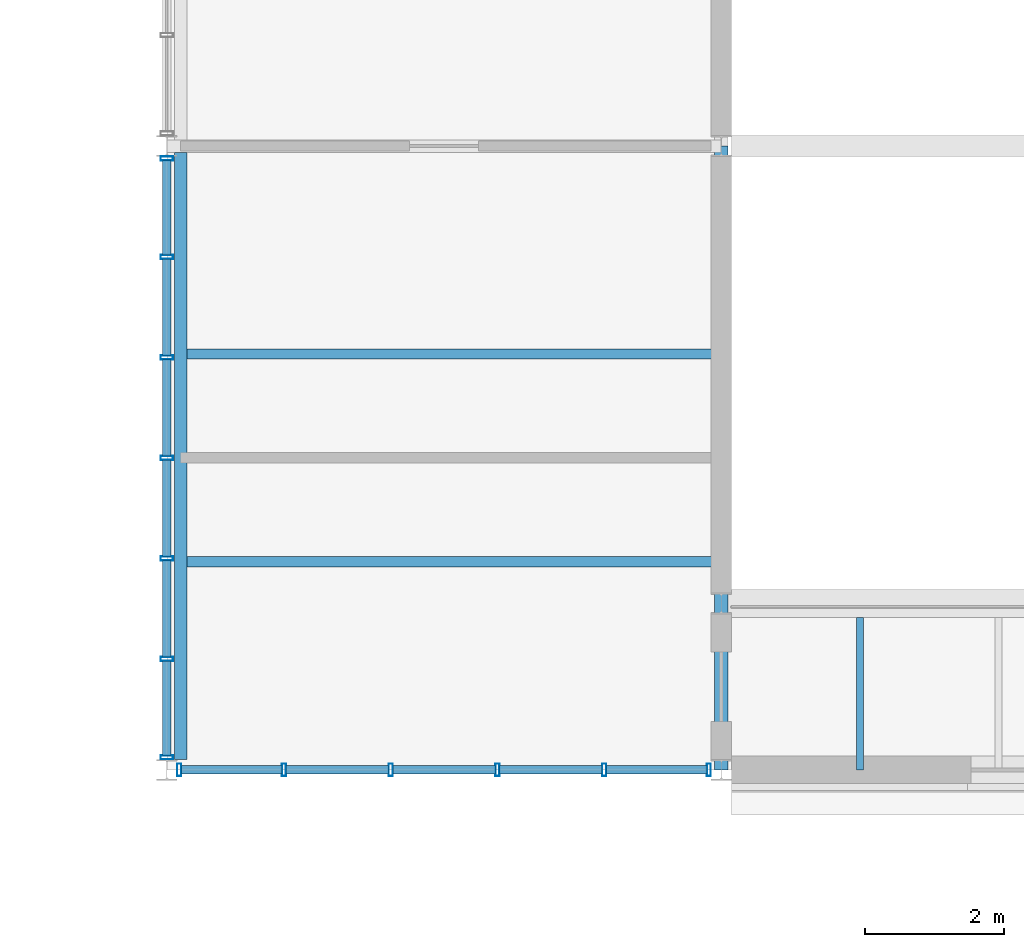
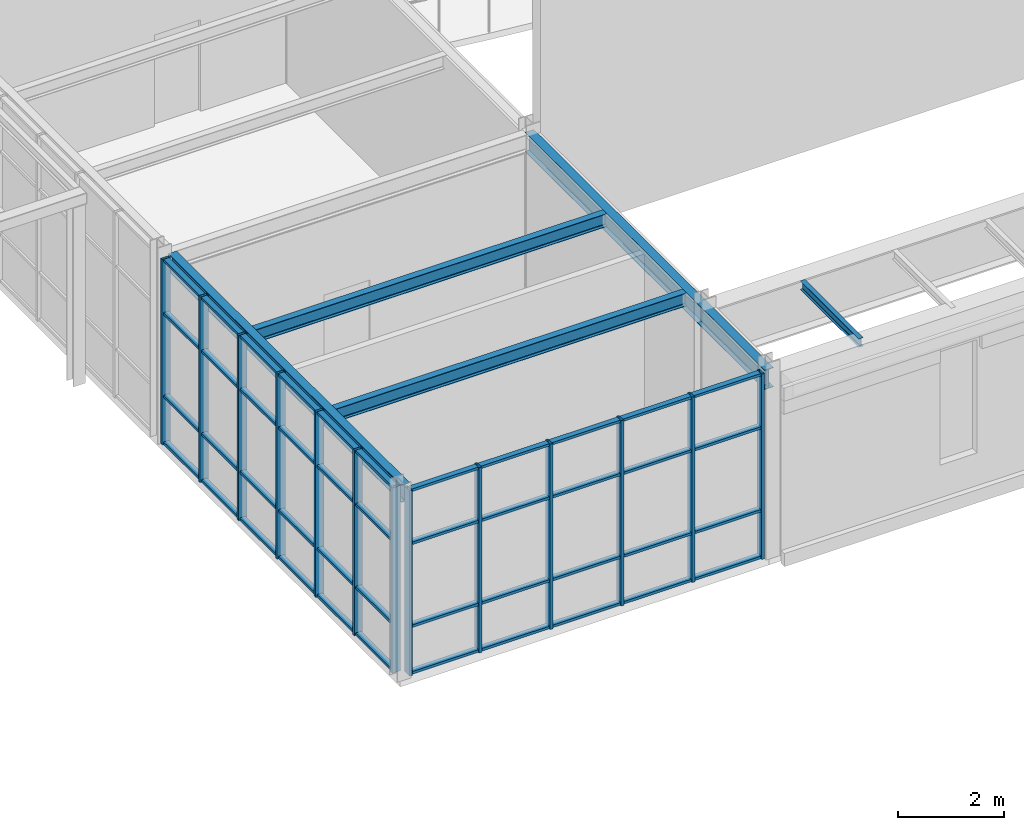
# One storey, part 70 of 153: 57 members, 5 beams, 2 elements without a shape of their own.
"""IFC4 building model written with IfcOpenShell, lengths in metres."""

from ifc_helpers import new_model, si_unit, direction, frame, origin, origin_2d, place, context, subcontext, project, spatial, hollow_rectangle, i_section, extrude, material, material_profile, profile_set, type_object, element, aggregate, save


model = new_model("IFC4")

# Units and contexts
model_context = context("Model", 3, precision=1e-05, world=origin(), true_north=direction((0.0, 1.0)))
body_context = subcontext(model_context, "Body", "Model", "MODEL_VIEW")
ifc_project = project(units=[si_unit("LENGTHUNIT", "METRE"), si_unit("AREAUNIT", "SQUARE_METRE"), si_unit("VOLUMEUNIT", "CUBIC_METRE"), si_unit("PLANEANGLEUNIT", "RADIAN"), si_unit("MASSUNIT", "GRAM", prefix="KILO")], contexts=[model_context])

# Site, building, storey
site_placement = place(None, origin())
site = spatial("IfcSite", under=ifc_project, at=site_placement, CompositionType="ELEMENT")
building_placement = place(site_placement, origin())
building = spatial("IfcBuilding", under=site, at=building_placement, Name="Kallimachos Central Library", CompositionType="ELEMENT")
storey_placement = place(building_placement, frame((0.0, 0.0, 5.39990234375)))
storey = spatial("IfcBuildingStorey", under=building, at=storey_placement, Name="L01", CompositionType="ELEMENT", Elevation=5.39990234375)

# Curtain wall, members
ifc_material_1 = material(Name="Laminated glass in anodised aluminium", Category="aluminium")
curtain_wall_type = type_object("IfcCurtainWallType", Name="Foyer curtain wall", PredefinedType="NOTDEFINED", material=ifc_material_1)
curtain_wall_1_placement = place(storey_placement, origin())
curtain_wall_1 = element("IfcCurtainWall", 1, at=curtain_wall_1_placement, inside=storey, type_object=curtain_wall_type, Name="V3-CWL-L01-001", PredefinedType="NOTDEFINED")
ifc_material_2 = material(Name="Anodised aluminium", Category="aluminium")
ifc_material_profile_1 = material_profile(ifc_material_2, hollow_rectangle(XDim=0.06005859375, YDim=0.179931640625, WallThickness=0.00390625, at=origin_2d()), Name="ALU MULLION 60x180")
ifc_profile_set_1 = profile_set([ifc_material_profile_1], Name="Anodised aluminium")
member_type_1 = type_object("IfcMemberType", Name="ALU MULLION 60x180 mullion", PredefinedType="MULLION", material=ifc_profile_set_1)
member_1_placement = place(storey_placement, frame((138.0, 87.179931640625, 0.0), z_axis=(0.0, 0.0, 1.0), x_axis=(0.0, 1.0, 0.0)))
member_1 = element("IfcMember", 2, at=member_1_placement, type_object=member_type_1, Name="CW mullion 1", PredefinedType="MULLION", context=body_context, shape_type="SweptSolid", body=[
    extrude(hollow_rectangle(XDim=0.06005859375, YDim=0.179931640625, WallThickness=0.00390625, at=origin_2d()), origin(), (0.0, 0.0, 1.0), 4.25),
])
member_2_placement = place(storey_placement, frame((138.0, 88.60009765625, 0.0), z_axis=(0.0, 0.0, 1.0), x_axis=(0.0, 1.0, 0.0)))
member_2 = element("IfcMember", 3, at=member_2_placement, type_object=member_type_1, Name="CW mullion 2", PredefinedType="MULLION", context=body_context, shape_type="SweptSolid", body=[
    extrude(hollow_rectangle(XDim=0.06005859375, YDim=0.179931640625, WallThickness=0.00390625, at=origin_2d()), origin(), (0.0, 0.0, 1.0), 4.25),
])
member_3_placement = place(storey_placement, frame((138.0, 90.050048828125, 0.0), z_axis=(0.0, 0.0, 1.0), x_axis=(0.0, 1.0, 0.0)))
member_3 = element("IfcMember", 4, at=member_3_placement, type_object=member_type_1, Name="CW mullion 3", PredefinedType="MULLION", context=body_context, shape_type="SweptSolid", body=[
    extrude(hollow_rectangle(XDim=0.06005859375, YDim=0.179931640625, WallThickness=0.00390625, at=origin_2d()), origin(), (0.0, 0.0, 1.0), 4.25),
])
member_4_placement = place(storey_placement, frame((138.0, 91.5, 0.0), z_axis=(0.0, 0.0, 1.0), x_axis=(0.0, 1.0, 0.0)))
member_4 = element("IfcMember", 5, at=member_4_placement, type_object=member_type_1, Name="CW mullion 4", PredefinedType="MULLION", context=body_context, shape_type="SweptSolid", body=[
    extrude(hollow_rectangle(XDim=0.06005859375, YDim=0.179931640625, WallThickness=0.00390625, at=origin_2d()), origin(), (0.0, 0.0, 1.0), 4.25),
])
member_5_placement = place(storey_placement, frame((138.0, 92.949951171875, 0.0), z_axis=(0.0, 0.0, 1.0), x_axis=(0.0, 1.0, 0.0)))
member_5 = element("IfcMember", 6, at=member_5_placement, type_object=member_type_1, Name="CW mullion 5", PredefinedType="MULLION", context=body_context, shape_type="SweptSolid", body=[
    extrude(hollow_rectangle(XDim=0.06005859375, YDim=0.179931640625, WallThickness=0.00390625, at=origin_2d()), origin(), (0.0, 0.0, 1.0), 4.25),
])
member_6_placement = place(storey_placement, frame((138.0, 94.39990234375, 0.0), z_axis=(0.0, 0.0, 1.0), x_axis=(0.0, 1.0, 0.0)))
member_6 = element("IfcMember", 7, at=member_6_placement, type_object=member_type_1, Name="CW mullion 6", PredefinedType="MULLION", context=body_context, shape_type="SweptSolid", body=[
    extrude(hollow_rectangle(XDim=0.06005859375, YDim=0.179931640625, WallThickness=0.00390625, at=origin_2d()), origin(), (0.0, 0.0, 1.0), 4.25),
])
member_7_placement = place(storey_placement, frame((138.0, 95.820068359375, 0.0), z_axis=(0.0, 0.0, 1.0), x_axis=(0.0, 1.0, 0.0)))
member_7 = element("IfcMember", 8, at=member_7_placement, type_object=member_type_1, Name="CW mullion 7", PredefinedType="MULLION", context=body_context, shape_type="SweptSolid", body=[
    extrude(hollow_rectangle(XDim=0.06005859375, YDim=0.179931640625, WallThickness=0.00390625, at=origin_2d()), origin(), (0.0, 0.0, 1.0), 4.25),
])

curtain_wall_2_placement = place(storey_placement, origin())
curtain_wall_2 = element("IfcCurtainWall", 9, at=curtain_wall_2_placement, inside=storey, type_object=curtain_wall_type, Name="V3-CWL-L01-003", PredefinedType="NOTDEFINED")
member_8_placement = place(storey_placement, frame((138.179931640625, 87.0, 0.0), z_axis=(0.0, 0.0, 1.0), x_axis=(1.0, 0.0, 0.0)))
member_8 = element("IfcMember", 10, at=member_8_placement, type_object=member_type_1, Name="CW mullion 1", PredefinedType="MULLION", context=body_context, shape_type="SweptSolid", body=[
    extrude(hollow_rectangle(XDim=0.06005859375, YDim=0.179931640625, WallThickness=0.00390625, at=origin_2d()), origin(), (0.0, 0.0, 1.0), 4.25),
])
member_9_placement = place(storey_placement, frame((139.68994140625, 87.0, 0.0), z_axis=(0.0, 0.0, 1.0), x_axis=(1.0, 0.0, 0.0)))
member_9 = element("IfcMember", 11, at=member_9_placement, type_object=member_type_1, Name="CW mullion 2", PredefinedType="MULLION", context=body_context, shape_type="SweptSolid", body=[
    extrude(hollow_rectangle(XDim=0.06005859375, YDim=0.179931640625, WallThickness=0.00390625, at=origin_2d()), origin(), (0.0, 0.0, 1.0), 4.25),
])
member_10_placement = place(storey_placement, frame((141.22998046875, 87.0, 0.0), z_axis=(0.0, 0.0, 1.0), x_axis=(1.0, 0.0, 0.0)))
member_10 = element("IfcMember", 12, at=member_10_placement, type_object=member_type_1, Name="CW mullion 3", PredefinedType="MULLION", context=body_context, shape_type="SweptSolid", body=[
    extrude(hollow_rectangle(XDim=0.06005859375, YDim=0.179931640625, WallThickness=0.00390625, at=origin_2d()), origin(), (0.0, 0.0, 1.0), 4.25),
])
member_11_placement = place(storey_placement, frame((142.77001953125, 87.0, 0.0), z_axis=(0.0, 0.0, 1.0), x_axis=(1.0, 0.0, 0.0)))
member_11 = element("IfcMember", 13, at=member_11_placement, type_object=member_type_1, Name="CW mullion 4", PredefinedType="MULLION", context=body_context, shape_type="SweptSolid", body=[
    extrude(hollow_rectangle(XDim=0.06005859375, YDim=0.179931640625, WallThickness=0.00390625, at=origin_2d()), origin(), (0.0, 0.0, 1.0), 4.25),
])
member_12_placement = place(storey_placement, frame((144.31005859375, 87.0, 0.0), z_axis=(0.0, 0.0, 1.0), x_axis=(1.0, 0.0, 0.0)))
member_12 = element("IfcMember", 14, at=member_12_placement, type_object=member_type_1, Name="CW mullion 5", PredefinedType="MULLION", context=body_context, shape_type="SweptSolid", body=[
    extrude(hollow_rectangle(XDim=0.06005859375, YDim=0.179931640625, WallThickness=0.00390625, at=origin_2d()), origin(), (0.0, 0.0, 1.0), 4.25),
])
member_13_placement = place(storey_placement, frame((145.820068359375, 87.0, 0.0), z_axis=(0.0, 0.0, 1.0), x_axis=(1.0, 0.0, 0.0)))
member_13 = element("IfcMember", 15, at=member_13_placement, type_object=member_type_1, Name="CW mullion 6", PredefinedType="MULLION", context=body_context, shape_type="SweptSolid", body=[
    extrude(hollow_rectangle(XDim=0.06005859375, YDim=0.179931640625, WallThickness=0.00390625, at=origin_2d()), origin(), (0.0, 0.0, 1.0), 4.25),
])

# Member
ifc_material_3 = material(Name="Anodised aluminium", Category="aluminium")
ifc_material_profile_2 = material_profile(ifc_material_3, hollow_rectangle(XDim=0.06005859375, YDim=0.1201171875, WallThickness=0.00390625, at=origin_2d()), Name="ALU TRANSOM 60x120")
ifc_profile_set_2 = profile_set([ifc_material_profile_2], Name="Anodised aluminium")
member_type_2 = type_object("IfcMemberType", Name="ALU TRANSOM 60x120 transom", PredefinedType="USERDEFINED", material=ifc_profile_set_2)
member_14_placement = place(storey_placement, frame((138.0, 87.2099609375, 0.030029296875), z_axis=(0.0, 1.0, 0.0), x_axis=(0.0, 0.0, 1.0)))
member_14 = element("IfcMember", 16, at=member_14_placement, type_object=member_type_2, Name="CW transom 1.1", ObjectType="TRANSOM", PredefinedType="USERDEFINED", context=body_context, shape_type="SweptSolid", body=[
    extrude(hollow_rectangle(XDim=0.06005859375, YDim=0.1201171875, WallThickness=0.00390625, at=origin_2d()), origin(), (0.0, 0.0, 1.0), 1.360107421875),
])

member_15_placement = place(storey_placement, frame((138.0, 87.2099609375, 1.10009765625), z_axis=(0.0, 1.0, 0.0), x_axis=(0.0, 0.0, 1.0)))
member_15 = element("IfcMember", 17, at=member_15_placement, type_object=member_type_2, Name="CW transom 1.2", ObjectType="TRANSOM", PredefinedType="USERDEFINED", context=body_context, shape_type="SweptSolid", body=[
    extrude(hollow_rectangle(XDim=0.06005859375, YDim=0.1201171875, WallThickness=0.00390625, at=origin_2d()), origin(), (0.0, 0.0, 1.0), 1.360107421875),
])

member_16_placement = place(storey_placement, frame((138.0, 87.2099609375, 3.0), z_axis=(0.0, 1.0, 0.0), x_axis=(0.0, 0.0, 1.0)))
member_16 = element("IfcMember", 18, at=member_16_placement, type_object=member_type_2, Name="CW transom 1.3", ObjectType="TRANSOM", PredefinedType="USERDEFINED", context=body_context, shape_type="SweptSolid", body=[
    extrude(hollow_rectangle(XDim=0.06005859375, YDim=0.1201171875, WallThickness=0.00390625, at=origin_2d()), origin(), (0.0, 0.0, 1.0), 1.360107421875),
])

member_17_placement = place(storey_placement, frame((138.0, 87.2099609375, 4.22021484375), z_axis=(0.0, 1.0, 0.0), x_axis=(0.0, 0.0, 1.0)))
member_17 = element("IfcMember", 19, at=member_17_placement, type_object=member_type_2, Name="CW transom 1.4", ObjectType="TRANSOM", PredefinedType="USERDEFINED", context=body_context, shape_type="SweptSolid", body=[
    extrude(hollow_rectangle(XDim=0.06005859375, YDim=0.1201171875, WallThickness=0.00390625, at=origin_2d()), origin(), (0.0, 0.0, 1.0), 1.360107421875),
])

member_18_placement = place(storey_placement, frame((138.0, 88.6298828125, 0.030029296875), z_axis=(0.0, 1.0, 0.0), x_axis=(0.0, 0.0, 1.0)))
member_18 = element("IfcMember", 20, at=member_18_placement, type_object=member_type_2, Name="CW transom 2.1", ObjectType="TRANSOM", PredefinedType="USERDEFINED", context=body_context, shape_type="SweptSolid", body=[
    extrude(hollow_rectangle(XDim=0.06005859375, YDim=0.1201171875, WallThickness=0.00390625, at=origin_2d()), origin(), (0.0, 0.0, 1.0), 1.39013671875),
])

member_19_placement = place(storey_placement, frame((138.0, 88.6298828125, 1.10009765625), z_axis=(0.0, 1.0, 0.0), x_axis=(0.0, 0.0, 1.0)))
member_19 = element("IfcMember", 21, at=member_19_placement, type_object=member_type_2, Name="CW transom 2.2", ObjectType="TRANSOM", PredefinedType="USERDEFINED", context=body_context, shape_type="SweptSolid", body=[
    extrude(hollow_rectangle(XDim=0.06005859375, YDim=0.1201171875, WallThickness=0.00390625, at=origin_2d()), origin(), (0.0, 0.0, 1.0), 1.39013671875),
])

member_20_placement = place(storey_placement, frame((138.0, 88.6298828125, 3.0), z_axis=(0.0, 1.0, 0.0), x_axis=(0.0, 0.0, 1.0)))
member_20 = element("IfcMember", 22, at=member_20_placement, type_object=member_type_2, Name="CW transom 2.3", ObjectType="TRANSOM", PredefinedType="USERDEFINED", context=body_context, shape_type="SweptSolid", body=[
    extrude(hollow_rectangle(XDim=0.06005859375, YDim=0.1201171875, WallThickness=0.00390625, at=origin_2d()), origin(), (0.0, 0.0, 1.0), 1.39013671875),
])

member_21_placement = place(storey_placement, frame((138.0, 88.6298828125, 4.22021484375), z_axis=(0.0, 1.0, 0.0), x_axis=(0.0, 0.0, 1.0)))
member_21 = element("IfcMember", 23, at=member_21_placement, type_object=member_type_2, Name="CW transom 2.4", ObjectType="TRANSOM", PredefinedType="USERDEFINED", context=body_context, shape_type="SweptSolid", body=[
    extrude(hollow_rectangle(XDim=0.06005859375, YDim=0.1201171875, WallThickness=0.00390625, at=origin_2d()), origin(), (0.0, 0.0, 1.0), 1.39013671875),
])

member_22_placement = place(storey_placement, frame((138.0, 90.080078125, 0.030029296875), z_axis=(0.0, 1.0, 0.0), x_axis=(0.0, 0.0, 1.0)))
member_22 = element("IfcMember", 24, at=member_22_placement, type_object=member_type_2, Name="CW transom 3.1", ObjectType="TRANSOM", PredefinedType="USERDEFINED", context=body_context, shape_type="SweptSolid", body=[
    extrude(hollow_rectangle(XDim=0.06005859375, YDim=0.1201171875, WallThickness=0.00390625, at=origin_2d()), origin(), (0.0, 0.0, 1.0), 1.389892578125),
])

member_23_placement = place(storey_placement, frame((138.0, 90.080078125, 1.10009765625), z_axis=(0.0, 1.0, 0.0), x_axis=(0.0, 0.0, 1.0)))
member_23 = element("IfcMember", 25, at=member_23_placement, type_object=member_type_2, Name="CW transom 3.2", ObjectType="TRANSOM", PredefinedType="USERDEFINED", context=body_context, shape_type="SweptSolid", body=[
    extrude(hollow_rectangle(XDim=0.06005859375, YDim=0.1201171875, WallThickness=0.00390625, at=origin_2d()), origin(), (0.0, 0.0, 1.0), 1.389892578125),
])

member_24_placement = place(storey_placement, frame((138.0, 90.080078125, 3.0), z_axis=(0.0, 1.0, 0.0), x_axis=(0.0, 0.0, 1.0)))
member_24 = element("IfcMember", 26, at=member_24_placement, type_object=member_type_2, Name="CW transom 3.3", ObjectType="TRANSOM", PredefinedType="USERDEFINED", context=body_context, shape_type="SweptSolid", body=[
    extrude(hollow_rectangle(XDim=0.06005859375, YDim=0.1201171875, WallThickness=0.00390625, at=origin_2d()), origin(), (0.0, 0.0, 1.0), 1.389892578125),
])

member_25_placement = place(storey_placement, frame((138.0, 90.080078125, 4.22021484375), z_axis=(0.0, 1.0, 0.0), x_axis=(0.0, 0.0, 1.0)))
member_25 = element("IfcMember", 27, at=member_25_placement, type_object=member_type_2, Name="CW transom 3.4", ObjectType="TRANSOM", PredefinedType="USERDEFINED", context=body_context, shape_type="SweptSolid", body=[
    extrude(hollow_rectangle(XDim=0.06005859375, YDim=0.1201171875, WallThickness=0.00390625, at=origin_2d()), origin(), (0.0, 0.0, 1.0), 1.389892578125),
])

member_26_placement = place(storey_placement, frame((138.0, 91.530029296875, 0.030029296875), z_axis=(0.0, 1.0, 0.0), x_axis=(0.0, 0.0, 1.0)))
member_26 = element("IfcMember", 28, at=member_26_placement, type_object=member_type_2, Name="CW transom 4.1", ObjectType="TRANSOM", PredefinedType="USERDEFINED", context=body_context, shape_type="SweptSolid", body=[
    extrude(hollow_rectangle(XDim=0.06005859375, YDim=0.1201171875, WallThickness=0.00390625, at=origin_2d()), origin(), (0.0, 0.0, 1.0), 1.389892578125),
])

member_27_placement = place(storey_placement, frame((138.0, 91.530029296875, 1.10009765625), z_axis=(0.0, 1.0, 0.0), x_axis=(0.0, 0.0, 1.0)))
member_27 = element("IfcMember", 29, at=member_27_placement, type_object=member_type_2, Name="CW transom 4.2", ObjectType="TRANSOM", PredefinedType="USERDEFINED", context=body_context, shape_type="SweptSolid", body=[
    extrude(hollow_rectangle(XDim=0.06005859375, YDim=0.1201171875, WallThickness=0.00390625, at=origin_2d()), origin(), (0.0, 0.0, 1.0), 1.389892578125),
])

member_28_placement = place(storey_placement, frame((138.0, 91.530029296875, 3.0), z_axis=(0.0, 1.0, 0.0), x_axis=(0.0, 0.0, 1.0)))
member_28 = element("IfcMember", 30, at=member_28_placement, type_object=member_type_2, Name="CW transom 4.3", ObjectType="TRANSOM", PredefinedType="USERDEFINED", context=body_context, shape_type="SweptSolid", body=[
    extrude(hollow_rectangle(XDim=0.06005859375, YDim=0.1201171875, WallThickness=0.00390625, at=origin_2d()), origin(), (0.0, 0.0, 1.0), 1.389892578125),
])

member_29_placement = place(storey_placement, frame((138.0, 91.530029296875, 4.22021484375), z_axis=(0.0, 1.0, 0.0), x_axis=(0.0, 0.0, 1.0)))
member_29 = element("IfcMember", 31, at=member_29_placement, type_object=member_type_2, Name="CW transom 4.4", ObjectType="TRANSOM", PredefinedType="USERDEFINED", context=body_context, shape_type="SweptSolid", body=[
    extrude(hollow_rectangle(XDim=0.06005859375, YDim=0.1201171875, WallThickness=0.00390625, at=origin_2d()), origin(), (0.0, 0.0, 1.0), 1.389892578125),
])

member_30_placement = place(storey_placement, frame((138.0, 92.97998046875, 0.030029296875), z_axis=(0.0, 1.0, 0.0), x_axis=(0.0, 0.0, 1.0)))
member_30 = element("IfcMember", 32, at=member_30_placement, type_object=member_type_2, Name="CW transom 5.1", ObjectType="TRANSOM", PredefinedType="USERDEFINED", context=body_context, shape_type="SweptSolid", body=[
    extrude(hollow_rectangle(XDim=0.06005859375, YDim=0.1201171875, WallThickness=0.00390625, at=origin_2d()), origin(), (0.0, 0.0, 1.0), 1.39013671875),
])

member_31_placement = place(storey_placement, frame((138.0, 92.97998046875, 1.10009765625), z_axis=(0.0, 1.0, 0.0), x_axis=(0.0, 0.0, 1.0)))
member_31 = element("IfcMember", 33, at=member_31_placement, type_object=member_type_2, Name="CW transom 5.2", ObjectType="TRANSOM", PredefinedType="USERDEFINED", context=body_context, shape_type="SweptSolid", body=[
    extrude(hollow_rectangle(XDim=0.06005859375, YDim=0.1201171875, WallThickness=0.00390625, at=origin_2d()), origin(), (0.0, 0.0, 1.0), 1.39013671875),
])

member_32_placement = place(storey_placement, frame((138.0, 92.97998046875, 3.0), z_axis=(0.0, 1.0, 0.0), x_axis=(0.0, 0.0, 1.0)))
member_32 = element("IfcMember", 34, at=member_32_placement, type_object=member_type_2, Name="CW transom 5.3", ObjectType="TRANSOM", PredefinedType="USERDEFINED", context=body_context, shape_type="SweptSolid", body=[
    extrude(hollow_rectangle(XDim=0.06005859375, YDim=0.1201171875, WallThickness=0.00390625, at=origin_2d()), origin(), (0.0, 0.0, 1.0), 1.39013671875),
])

member_33_placement = place(storey_placement, frame((138.0, 92.97998046875, 4.22021484375), z_axis=(0.0, 1.0, 0.0), x_axis=(0.0, 0.0, 1.0)))
member_33 = element("IfcMember", 35, at=member_33_placement, type_object=member_type_2, Name="CW transom 5.4", ObjectType="TRANSOM", PredefinedType="USERDEFINED", context=body_context, shape_type="SweptSolid", body=[
    extrude(hollow_rectangle(XDim=0.06005859375, YDim=0.1201171875, WallThickness=0.00390625, at=origin_2d()), origin(), (0.0, 0.0, 1.0), 1.39013671875),
])

member_34_placement = place(storey_placement, frame((138.0, 94.429931640625, 0.030029296875), z_axis=(0.0, 1.0, 0.0), x_axis=(0.0, 0.0, 1.0)))
member_34 = element("IfcMember", 36, at=member_34_placement, type_object=member_type_2, Name="CW transom 6.1", ObjectType="TRANSOM", PredefinedType="USERDEFINED", context=body_context, shape_type="SweptSolid", body=[
    extrude(hollow_rectangle(XDim=0.06005859375, YDim=0.1201171875, WallThickness=0.00390625, at=origin_2d()), origin(), (0.0, 0.0, 1.0), 1.360107421875),
])

member_35_placement = place(storey_placement, frame((138.0, 94.429931640625, 1.10009765625), z_axis=(0.0, 1.0, 0.0), x_axis=(0.0, 0.0, 1.0)))
member_35 = element("IfcMember", 37, at=member_35_placement, type_object=member_type_2, Name="CW transom 6.2", ObjectType="TRANSOM", PredefinedType="USERDEFINED", context=body_context, shape_type="SweptSolid", body=[
    extrude(hollow_rectangle(XDim=0.06005859375, YDim=0.1201171875, WallThickness=0.00390625, at=origin_2d()), origin(), (0.0, 0.0, 1.0), 1.360107421875),
])

member_36_placement = place(storey_placement, frame((138.0, 94.429931640625, 3.0), z_axis=(0.0, 1.0, 0.0), x_axis=(0.0, 0.0, 1.0)))
member_36 = element("IfcMember", 38, at=member_36_placement, type_object=member_type_2, Name="CW transom 6.3", ObjectType="TRANSOM", PredefinedType="USERDEFINED", context=body_context, shape_type="SweptSolid", body=[
    extrude(hollow_rectangle(XDim=0.06005859375, YDim=0.1201171875, WallThickness=0.00390625, at=origin_2d()), origin(), (0.0, 0.0, 1.0), 1.360107421875),
])

member_37_placement = place(storey_placement, frame((138.0, 94.429931640625, 4.22021484375), z_axis=(0.0, 1.0, 0.0), x_axis=(0.0, 0.0, 1.0)))
member_37 = element("IfcMember", 39, at=member_37_placement, type_object=member_type_2, Name="CW transom 6.4", ObjectType="TRANSOM", PredefinedType="USERDEFINED", context=body_context, shape_type="SweptSolid", body=[
    extrude(hollow_rectangle(XDim=0.06005859375, YDim=0.1201171875, WallThickness=0.00390625, at=origin_2d()), origin(), (0.0, 0.0, 1.0), 1.360107421875),
])

aggregate(curtain_wall_1, [member_1, member_2, member_3, member_4, member_5, member_6, member_7, member_14, member_15, member_16, member_17, member_18, member_19, member_20, member_21, member_22, member_23, member_24, member_25, member_26, member_27, member_28, member_29, member_30, member_31, member_32, member_33, member_34, member_35, member_36, member_37])

member_38_placement = place(storey_placement, frame((138.2099609375, 87.0, 0.030029296875), z_axis=(1.0, 0.0, 0.0), x_axis=(0.0, 0.0, 1.0)))
member_38 = element("IfcMember", 40, at=member_38_placement, type_object=member_type_2, Name="CW transom 1.1", ObjectType="TRANSOM", PredefinedType="USERDEFINED", context=body_context, shape_type="SweptSolid", body=[
    extrude(hollow_rectangle(XDim=0.06005859375, YDim=0.1201171875, WallThickness=0.00390625, at=origin_2d()), origin(), (0.0, 0.0, 1.0), 1.449951171875),
])

member_39_placement = place(storey_placement, frame((138.2099609375, 87.0, 1.10009765625), z_axis=(1.0, 0.0, 0.0), x_axis=(0.0, 0.0, 1.0)))
member_39 = element("IfcMember", 41, at=member_39_placement, type_object=member_type_2, Name="CW transom 1.2", ObjectType="TRANSOM", PredefinedType="USERDEFINED", context=body_context, shape_type="SweptSolid", body=[
    extrude(hollow_rectangle(XDim=0.06005859375, YDim=0.1201171875, WallThickness=0.00390625, at=origin_2d()), origin(), (0.0, 0.0, 1.0), 1.449951171875),
])

member_40_placement = place(storey_placement, frame((138.2099609375, 87.0, 3.0), z_axis=(1.0, 0.0, 0.0), x_axis=(0.0, 0.0, 1.0)))
member_40 = element("IfcMember", 42, at=member_40_placement, type_object=member_type_2, Name="CW transom 1.3", ObjectType="TRANSOM", PredefinedType="USERDEFINED", context=body_context, shape_type="SweptSolid", body=[
    extrude(hollow_rectangle(XDim=0.06005859375, YDim=0.1201171875, WallThickness=0.00390625, at=origin_2d()), origin(), (0.0, 0.0, 1.0), 1.449951171875),
])

member_41_placement = place(storey_placement, frame((138.2099609375, 87.0, 4.22021484375), z_axis=(1.0, 0.0, 0.0), x_axis=(0.0, 0.0, 1.0)))
member_41 = element("IfcMember", 43, at=member_41_placement, type_object=member_type_2, Name="CW transom 1.4", ObjectType="TRANSOM", PredefinedType="USERDEFINED", context=body_context, shape_type="SweptSolid", body=[
    extrude(hollow_rectangle(XDim=0.06005859375, YDim=0.1201171875, WallThickness=0.00390625, at=origin_2d()), origin(), (0.0, 0.0, 1.0), 1.449951171875),
])

member_42_placement = place(storey_placement, frame((139.719970703125, 87.0, 0.030029296875), z_axis=(1.0, 0.0, 0.0), x_axis=(0.0, 0.0, 1.0)))
member_42 = element("IfcMember", 44, at=member_42_placement, type_object=member_type_2, Name="CW transom 2.1", ObjectType="TRANSOM", PredefinedType="USERDEFINED", context=body_context, shape_type="SweptSolid", body=[
    extrude(hollow_rectangle(XDim=0.06005859375, YDim=0.1201171875, WallThickness=0.00390625, at=origin_2d()), origin(), (0.0, 0.0, 1.0), 1.47998046875),
])

member_43_placement = place(storey_placement, frame((139.719970703125, 87.0, 1.10009765625), z_axis=(1.0, 0.0, 0.0), x_axis=(0.0, 0.0, 1.0)))
member_43 = element("IfcMember", 45, at=member_43_placement, type_object=member_type_2, Name="CW transom 2.2", ObjectType="TRANSOM", PredefinedType="USERDEFINED", context=body_context, shape_type="SweptSolid", body=[
    extrude(hollow_rectangle(XDim=0.06005859375, YDim=0.1201171875, WallThickness=0.00390625, at=origin_2d()), origin(), (0.0, 0.0, 1.0), 1.47998046875),
])

member_44_placement = place(storey_placement, frame((139.719970703125, 87.0, 3.0), z_axis=(1.0, 0.0, 0.0), x_axis=(0.0, 0.0, 1.0)))
member_44 = element("IfcMember", 46, at=member_44_placement, type_object=member_type_2, Name="CW transom 2.3", ObjectType="TRANSOM", PredefinedType="USERDEFINED", context=body_context, shape_type="SweptSolid", body=[
    extrude(hollow_rectangle(XDim=0.06005859375, YDim=0.1201171875, WallThickness=0.00390625, at=origin_2d()), origin(), (0.0, 0.0, 1.0), 1.47998046875),
])

member_45_placement = place(storey_placement, frame((139.719970703125, 87.0, 4.22021484375), z_axis=(1.0, 0.0, 0.0), x_axis=(0.0, 0.0, 1.0)))
member_45 = element("IfcMember", 47, at=member_45_placement, type_object=member_type_2, Name="CW transom 2.4", ObjectType="TRANSOM", PredefinedType="USERDEFINED", context=body_context, shape_type="SweptSolid", body=[
    extrude(hollow_rectangle(XDim=0.06005859375, YDim=0.1201171875, WallThickness=0.00390625, at=origin_2d()), origin(), (0.0, 0.0, 1.0), 1.47998046875),
])

member_46_placement = place(storey_placement, frame((141.260009765625, 87.0, 0.030029296875), z_axis=(1.0, 0.0, 0.0), x_axis=(0.0, 0.0, 1.0)))
member_46 = element("IfcMember", 48, at=member_46_placement, type_object=member_type_2, Name="CW transom 3.1", ObjectType="TRANSOM", PredefinedType="USERDEFINED", context=body_context, shape_type="SweptSolid", body=[
    extrude(hollow_rectangle(XDim=0.06005859375, YDim=0.1201171875, WallThickness=0.00390625, at=origin_2d()), origin(), (0.0, 0.0, 1.0), 1.47998046875),
])

member_47_placement = place(storey_placement, frame((141.260009765625, 87.0, 1.10009765625), z_axis=(1.0, 0.0, 0.0), x_axis=(0.0, 0.0, 1.0)))
member_47 = element("IfcMember", 49, at=member_47_placement, type_object=member_type_2, Name="CW transom 3.2", ObjectType="TRANSOM", PredefinedType="USERDEFINED", context=body_context, shape_type="SweptSolid", body=[
    extrude(hollow_rectangle(XDim=0.06005859375, YDim=0.1201171875, WallThickness=0.00390625, at=origin_2d()), origin(), (0.0, 0.0, 1.0), 1.47998046875),
])

member_48_placement = place(storey_placement, frame((141.260009765625, 87.0, 3.0), z_axis=(1.0, 0.0, 0.0), x_axis=(0.0, 0.0, 1.0)))
member_48 = element("IfcMember", 50, at=member_48_placement, type_object=member_type_2, Name="CW transom 3.3", ObjectType="TRANSOM", PredefinedType="USERDEFINED", context=body_context, shape_type="SweptSolid", body=[
    extrude(hollow_rectangle(XDim=0.06005859375, YDim=0.1201171875, WallThickness=0.00390625, at=origin_2d()), origin(), (0.0, 0.0, 1.0), 1.47998046875),
])

member_49_placement = place(storey_placement, frame((141.260009765625, 87.0, 4.22021484375), z_axis=(1.0, 0.0, 0.0), x_axis=(0.0, 0.0, 1.0)))
member_49 = element("IfcMember", 51, at=member_49_placement, type_object=member_type_2, Name="CW transom 3.4", ObjectType="TRANSOM", PredefinedType="USERDEFINED", context=body_context, shape_type="SweptSolid", body=[
    extrude(hollow_rectangle(XDim=0.06005859375, YDim=0.1201171875, WallThickness=0.00390625, at=origin_2d()), origin(), (0.0, 0.0, 1.0), 1.47998046875),
])

member_50_placement = place(storey_placement, frame((142.800048828125, 87.0, 0.030029296875), z_axis=(1.0, 0.0, 0.0), x_axis=(0.0, 0.0, 1.0)))
member_50 = element("IfcMember", 52, at=member_50_placement, type_object=member_type_2, Name="CW transom 4.1", ObjectType="TRANSOM", PredefinedType="USERDEFINED", context=body_context, shape_type="SweptSolid", body=[
    extrude(hollow_rectangle(XDim=0.06005859375, YDim=0.1201171875, WallThickness=0.00390625, at=origin_2d()), origin(), (0.0, 0.0, 1.0), 1.47998046875),
])

member_51_placement = place(storey_placement, frame((142.800048828125, 87.0, 1.10009765625), z_axis=(1.0, 0.0, 0.0), x_axis=(0.0, 0.0, 1.0)))
member_51 = element("IfcMember", 53, at=member_51_placement, type_object=member_type_2, Name="CW transom 4.2", ObjectType="TRANSOM", PredefinedType="USERDEFINED", context=body_context, shape_type="SweptSolid", body=[
    extrude(hollow_rectangle(XDim=0.06005859375, YDim=0.1201171875, WallThickness=0.00390625, at=origin_2d()), origin(), (0.0, 0.0, 1.0), 1.47998046875),
])

member_52_placement = place(storey_placement, frame((142.800048828125, 87.0, 3.0), z_axis=(1.0, 0.0, 0.0), x_axis=(0.0, 0.0, 1.0)))
member_52 = element("IfcMember", 54, at=member_52_placement, type_object=member_type_2, Name="CW transom 4.3", ObjectType="TRANSOM", PredefinedType="USERDEFINED", context=body_context, shape_type="SweptSolid", body=[
    extrude(hollow_rectangle(XDim=0.06005859375, YDim=0.1201171875, WallThickness=0.00390625, at=origin_2d()), origin(), (0.0, 0.0, 1.0), 1.47998046875),
])

member_53_placement = place(storey_placement, frame((142.800048828125, 87.0, 4.22021484375), z_axis=(1.0, 0.0, 0.0), x_axis=(0.0, 0.0, 1.0)))
member_53 = element("IfcMember", 55, at=member_53_placement, type_object=member_type_2, Name="CW transom 4.4", ObjectType="TRANSOM", PredefinedType="USERDEFINED", context=body_context, shape_type="SweptSolid", body=[
    extrude(hollow_rectangle(XDim=0.06005859375, YDim=0.1201171875, WallThickness=0.00390625, at=origin_2d()), origin(), (0.0, 0.0, 1.0), 1.47998046875),
])

member_54_placement = place(storey_placement, frame((144.340087890625, 87.0, 0.030029296875), z_axis=(1.0, 0.0, 0.0), x_axis=(0.0, 0.0, 1.0)))
member_54 = element("IfcMember", 56, at=member_54_placement, type_object=member_type_2, Name="CW transom 5.1", ObjectType="TRANSOM", PredefinedType="USERDEFINED", context=body_context, shape_type="SweptSolid", body=[
    extrude(hollow_rectangle(XDim=0.06005859375, YDim=0.1201171875, WallThickness=0.00390625, at=origin_2d()), origin(), (0.0, 0.0, 1.0), 1.449951171875),
])

member_55_placement = place(storey_placement, frame((144.340087890625, 87.0, 1.10009765625), z_axis=(1.0, 0.0, 0.0), x_axis=(0.0, 0.0, 1.0)))
member_55 = element("IfcMember", 57, at=member_55_placement, type_object=member_type_2, Name="CW transom 5.2", ObjectType="TRANSOM", PredefinedType="USERDEFINED", context=body_context, shape_type="SweptSolid", body=[
    extrude(hollow_rectangle(XDim=0.06005859375, YDim=0.1201171875, WallThickness=0.00390625, at=origin_2d()), origin(), (0.0, 0.0, 1.0), 1.449951171875),
])

member_56_placement = place(storey_placement, frame((144.340087890625, 87.0, 3.0), z_axis=(1.0, 0.0, 0.0), x_axis=(0.0, 0.0, 1.0)))
member_56 = element("IfcMember", 58, at=member_56_placement, type_object=member_type_2, Name="CW transom 5.3", ObjectType="TRANSOM", PredefinedType="USERDEFINED", context=body_context, shape_type="SweptSolid", body=[
    extrude(hollow_rectangle(XDim=0.06005859375, YDim=0.1201171875, WallThickness=0.00390625, at=origin_2d()), origin(), (0.0, 0.0, 1.0), 1.449951171875),
])

member_57_placement = place(storey_placement, frame((144.340087890625, 87.0, 4.22021484375), z_axis=(1.0, 0.0, 0.0), x_axis=(0.0, 0.0, 1.0)))
member_57 = element("IfcMember", 59, at=member_57_placement, type_object=member_type_2, Name="CW transom 5.4", ObjectType="TRANSOM", PredefinedType="USERDEFINED", context=body_context, shape_type="SweptSolid", body=[
    extrude(hollow_rectangle(XDim=0.06005859375, YDim=0.1201171875, WallThickness=0.00390625, at=origin_2d()), origin(), (0.0, 0.0, 1.0), 1.449951171875),
])

aggregate(curtain_wall_2, [member_8, member_9, member_10, member_11, member_12, member_13, member_38, member_39, member_40, member_41, member_42, member_43, member_44, member_45, member_46, member_47, member_48, member_49, member_50, member_51, member_52, member_53, member_54, member_55, member_56, member_57])

# Beams
ifc_material_4 = material(Name="Steel S355J2", Category="steel")
ifc_material_profile_3 = material_profile(ifc_material_4, i_section(OverallWidth=0.10009765625, OverallDepth=0.199951171875, WebThickness=0.005615234375, FlangeThickness=0.008544921875, FilletRadius=0.011962890625, at=origin_2d()), Name="IPE 200")
ifc_profile_set_3 = profile_set([ifc_material_profile_3], Name="Steel S355J2")
beam_type_1 = type_object("IfcBeamType", Name="IPE 200 beam", PredefinedType="BEAM", material=ifc_profile_set_3)
beam_1_placement = place(storey_placement, frame((148.0, 87.0, 4.150146484375), z_axis=(0.0, 1.0, 0.0), x_axis=(-1.0, 0.0, 0.0)))
element("IfcBeam", 60, at=beam_1_placement, inside=storey, type_object=beam_type_1, Name="V3-BEM-L01-011", PredefinedType="BEAM", context=body_context, shape_type="SweptSolid", body=[
    extrude(i_section(OverallWidth=0.10009765625, OverallDepth=0.199951171875, WebThickness=0.005615234375, FlangeThickness=0.008544921875, FilletRadius=0.011962890625, at=origin_2d()), origin(), (0.0, 0.0, 1.0), 2.199951171875),
])
ifc_material_5 = material(Name="Steel S355J2", Category="steel")
ifc_material_profile_4 = material_profile(ifc_material_5, i_section(OverallWidth=0.14990234375, OverallDepth=0.300048828125, WebThickness=0.007080078125, FlangeThickness=0.0107421875, FilletRadius=0.014892578125, at=origin_2d()), Name="IPE 300")
ifc_profile_set_4 = profile_set([ifc_material_profile_4], Name="Steel S355J2")
beam_type_2 = type_object("IfcBeamType", Name="IPE 300 beam", PredefinedType="BEAM", material=ifc_profile_set_4)
for number, where, z_axis, x_axis, name in (
    (61, (138.2900390625, 90.0, 4.10009765625), (1.0, 0.0, 0.0), (0.0, 1.0, 0.0), "V3-BEM-L01-003"),
    (62, (138.2900390625, 93.0, 4.10009765625), (1.0, 0.0, 0.0), (0.0, 1.0, 0.0), "V3-BEM-L01-004"),
):
    element("IfcBeam", number, at=place(storey_placement, frame(where, z_axis=z_axis, x_axis=x_axis)), inside=storey, type_object=beam_type_2, Name=name, PredefinedType="BEAM", context=body_context, shape_type="SweptSolid", body=[
        extrude(i_section(OverallWidth=0.14990234375, OverallDepth=0.300048828125, WebThickness=0.007080078125, FlangeThickness=0.0107421875, FilletRadius=0.014892578125, at=origin_2d()), origin(), (0.0, 0.0, 1.0), 7.614990234375),
    ])
ifc_material_6 = material(Name="Steel S355J2", Category="steel")
ifc_material_profile_5 = material_profile(ifc_material_6, i_section(OverallWidth=0.179931640625, OverallDepth=0.39990234375, WebThickness=0.008544921875, FlangeThickness=0.013427734375, FilletRadius=0.02099609375, at=origin_2d()), Name="IPE 400")
ifc_profile_set_5 = profile_set([ifc_material_profile_5], Name="Steel S355J2")
beam_type_3 = type_object("IfcBeamType", Name="IPE 400 beam", PredefinedType="BEAM", material=ifc_profile_set_5)
beam_2_placement = place(storey_placement, frame((138.199951171875, 87.14990234375, 4.050048828125), z_axis=(0.0, 1.0, 0.0), x_axis=(-1.0, 0.0, 0.0)))
element("IfcBeam", 63, at=beam_2_placement, inside=storey, type_object=beam_type_3, Name="Facade edge beam L01", PredefinedType="BEAM", context=body_context, shape_type="SweptSolid", body=[
    extrude(i_section(OverallWidth=0.179931640625, OverallDepth=0.39990234375, WebThickness=0.008544921875, FlangeThickness=0.013427734375, FilletRadius=0.02099609375, at=origin_2d()), origin(), (0.0, 0.0, 1.0), 8.760009765625),
])
ifc_material_7 = material(Name="Steel S355J2", Category="steel")
ifc_material_profile_6 = material_profile(ifc_material_7, i_section(OverallWidth=0.18994140625, OverallDepth=0.449951171875, WebThickness=0.009521484375, FlangeThickness=0.0146484375, FilletRadius=0.02099609375, at=origin_2d()), Name="IPE 450")
ifc_profile_set_6 = profile_set([ifc_material_profile_6], Name="Steel S355J2")
beam_type_4 = type_object("IfcBeamType", Name="IPE 450 beam", PredefinedType="BEAM", material=ifc_profile_set_6)
beam_3_placement = place(storey_placement, frame((146.0, 87.0, 4.025146484375), z_axis=(0.0, 1.0, 0.0), x_axis=(-1.0, 0.0, 0.0)))
element("IfcBeam", 64, at=beam_3_placement, inside=storey, type_object=beam_type_4, Name="V3-BEM-L01-001", PredefinedType="BEAM", context=body_context, shape_type="SweptSolid", body=[
    extrude(i_section(OverallWidth=0.18994140625, OverallDepth=0.449951171875, WebThickness=0.009521484375, FlangeThickness=0.0146484375, FilletRadius=0.02099609375, at=origin_2d()), origin(), (0.0, 0.0, 1.0), 9.0),
])

save(model, "model.ifc")
